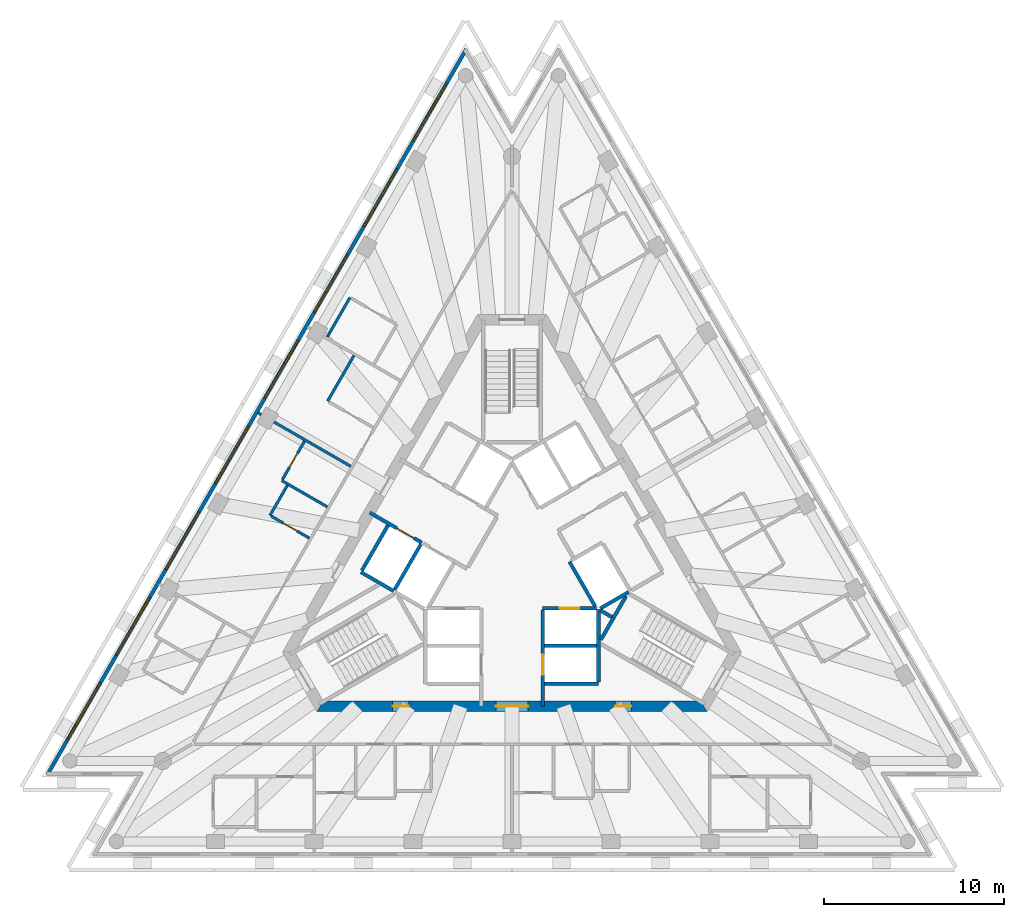
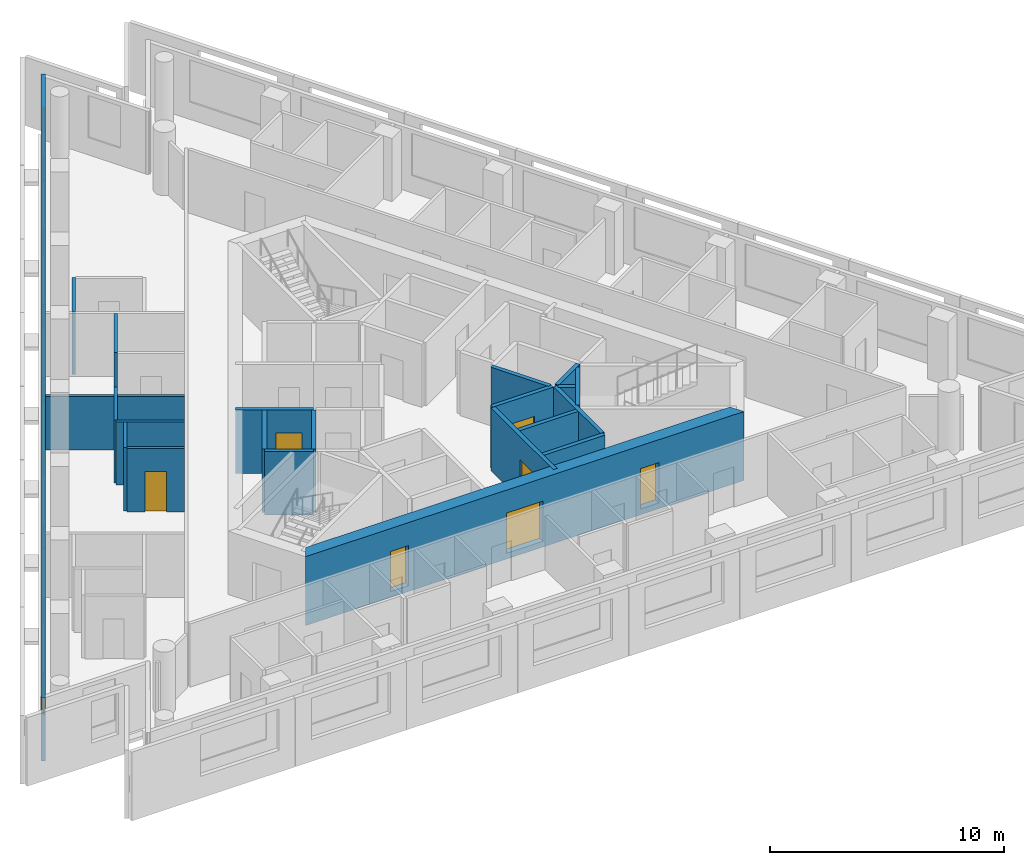
# One storey, part 4 of 9: 22 walls, 8 doors, 8 windows, 16 openings.
"""IFC4 building model written with IfcOpenShell, lengths in metres."""

from ifc_helpers import new_model, si_unit, direction, frame, frame_2d, origin, place, context, subcontext, project, spatial, polyline, rectangle, outline, extrude, material, layer, layer_set, layer_usage, type_object, element, fill, save


model = new_model("IFC4")

# Units and contexts
model_context = context("Model", 3, precision=1e-05, world=origin(), true_north=direction((0.0, 1.0)))
body_context = subcontext(model_context, "Body", "Model", "MODEL_VIEW")
ifc_project = project(units=[si_unit("LENGTHUNIT", "METRE"), si_unit("AREAUNIT", "SQUARE_METRE"), si_unit("VOLUMEUNIT", "CUBIC_METRE"), si_unit("PLANEANGLEUNIT", "RADIAN"), si_unit("MASSUNIT", "GRAM", prefix="KILO")], contexts=[model_context])

# Site, building, storey
site_placement = place(None, origin())
site = spatial("IfcSite", under=ifc_project, at=site_placement, CompositionType="ELEMENT")
building_placement = place(site_placement, origin())
building = spatial("IfcBuilding", under=site, at=building_placement, Name="Triada Interchange Tower", CompositionType="ELEMENT")
storey_placement = place(building_placement, frame((0.0, 0.0, 279.10009765625)))
storey = spatial("IfcBuildingStorey", under=building, at=storey_placement, Name="L65", CompositionType="ELEMENT", Elevation=279.10009765625)

# Walls
ifc_material_1 = material(Name="Concrete C30/37", Category="concrete")
ifc_layer_1 = layer(ifc_material_1, 0.199951171875)
ifc_layer_set_1 = layer_set([ifc_layer_1], Name="CORE WALL 200 EI 120")
wall_type_1 = type_object("IfcWallType", Name="CORE WALL 200 EI 120", PredefinedType="SOLIDWALL", material=ifc_layer_set_1)
wall_1_placement = place(storey_placement, frame((-8.3759765625, -0.70703125, 0.0), z_axis=(0.0, 0.0, 1.0), x_axis=(0.866067520717, -0.499927044236, 0.0)))
element("IfcWall", 1, at=wall_1_placement, inside=storey, type_object=wall_type_1, Name="Wall L65 70", PredefinedType="SOLIDWALL", context=body_context, shape_type="SweptSolid", body=[
    extrude(rectangle(XDim=2.100341796875, YDim=0.199951171875, at=frame_2d((1.05029296875, 0.0))), origin(), (0.0, 0.0, 1.0), 3.2998046875),
])
wall_2_placement = place(storey_placement, frame((-8.325927734375, -0.6201171875, 0.0), z_axis=(0.0, 0.0, 1.0), x_axis=(0.500023687443, 0.866011727401, 0.0)))
element("IfcWall", 2, at=wall_2_placement, inside=storey, type_object=wall_type_1, Name="Wall L65 71", PredefinedType="SOLIDWALL", context=body_context, shape_type="SweptSolid", body=[
    extrude(rectangle(XDim=2.899658203125, YDim=0.199951171875, at=frame_2d((1.44970703125, 0.0))), origin(), (0.0, 0.0, 1.0), 3.2998046875),
])
wall_3_placement = place(storey_placement, frame((1.800048828125, -4.800048828125, 0.0), z_axis=(0.0, 0.0, 1.0), x_axis=(1.0, 0.0, 0.0)))
element("IfcWall", 3, at=wall_3_placement, inside=storey, type_object=wall_type_1, Name="Wall L65 73", PredefinedType="SOLIDWALL", context=body_context, shape_type="SweptSolid", body=[
    extrude(rectangle(XDim=2.89990234375, YDim=0.199951171875, at=frame_2d((1.449951171875, 0.0))), origin(), (0.0, 0.0, 1.0), 3.2998046875),
])
wall_4_placement = place(storey_placement, frame((1.800048828125, -6.89990234375, 0.0), z_axis=(0.0, 0.0, 1.0), x_axis=(1.0, 0.0, 0.0)))
element("IfcWall", 4, at=wall_4_placement, inside=storey, type_object=wall_type_1, Name="Wall L65 76", PredefinedType="SOLIDWALL", context=body_context, shape_type="SweptSolid", body=[
    extrude(rectangle(XDim=3.0, YDim=0.199951171875, at=frame_2d((1.5, 0.0))), origin(), (0.0, 0.0, 1.0), 3.2998046875),
])

# Wall, opening, door
wall_5_placement = place(storey_placement, frame((1.702880859375, -2.699951171875, 0.0), z_axis=(0.0, 0.0, 1.0), x_axis=(1.0, 0.0, 0.0)))
wall_5 = element("IfcWall", 5, at=wall_5_placement, inside=storey, type_object=wall_type_1, Name="Wall L65 79", PredefinedType="SOLIDWALL", context=body_context, shape_type="SweptSolid", body=[
    extrude(rectangle(XDim=2.97314453125, YDim=0.199951171875, at=frame_2d((1.486572265625, 0.0))), origin(), (0.0, 0.0, 1.0), 3.2998046875),
])
opening_1_placement = place(wall_5_placement, frame((0.93603515625, 0.0, 0.0)))
opening_1 = element("IfcOpeningElement", 6, at=opening_1_placement, cuts=wall_5, Name="Opening LD-HR1", PredefinedType="OPENING", context=body_context, shape_type="SweptSolid", body=[
    extrude(rectangle(XDim=1.10009765625, YDim=2.10009765625, at=frame_2d((0.550048828125, 1.050048828125))), frame((0.0, 0.10986328125, 0.0), z_axis=(0.0, -1.0, 0.0), x_axis=(1.0, 0.0, 0.0)), (0.0, 0.0, 1.0), 0.219970703125),
])
ifc_material_2 = material(Name="Steel S235 door leaf", Category="steel")
door_type_1 = type_object("IfcDoorType", Name="LIFT LANDING DOOR 1100 EI 120", OperationType="SLIDING_TO_LEFT", PredefinedType="DOOR", material=ifc_material_2)
door_1_placement = place(opening_1_placement, origin())
door_1 = element("IfcDoor", 7, at=door_1_placement, inside=storey, type_object=door_type_1, Name="HR1 landing door L65", OperationType="SLIDING_TO_LEFT", OverallHeight=2.10009765625, OverallWidth=1.10009765625, PredefinedType="DOOR", context=body_context, shape_type="SweptSolid", body=[
    extrude(rectangle(XDim=1.10009765625, YDim=2.10009765625, at=frame_2d((0.550048828125, 1.050048828125))), frame((0.0, 0.02490234375, 0.0), z_axis=(0.0, -1.0, 0.0), x_axis=(1.0, 0.0, 0.0)), (0.0, 0.0, 1.0), 0.050048828125),
])
fill(opening_1, door_1)

# Wall
wall_6_placement = place(storey_placement, frame((3.18994140625, -0.125, 0.0), z_axis=(0.0, 0.0, 1.0), x_axis=(0.499988658015, -0.866031951983, 0.0)))
element("IfcWall", 8, at=wall_6_placement, inside=storey, type_object=wall_type_1, Name="Wall L65 82", PredefinedType="SOLIDWALL", context=body_context, shape_type="SweptSolid", body=[
    extrude(rectangle(XDim=2.85791015625, YDim=0.199951171875, at=frame_2d((1.428955078125, 0.0))), origin(), (0.0, 0.0, 1.0), 3.2998046875),
])

# Wall, opening, door
wall_7_placement = place(storey_placement, frame((1.699951171875, -8.1298828125, 0.0), z_axis=(0.0, 0.0, 1.0), x_axis=(0.0, 1.0, 0.0)))
wall_7 = element("IfcWall", 9, at=wall_7_placement, inside=storey, type_object=wall_type_1, Name="Wall L65 84", PredefinedType="SOLIDWALL", context=body_context, shape_type="SweptSolid", body=[
    extrude(rectangle(XDim=5.326904296875, YDim=0.199951171875, at=frame_2d((2.66357421875, 0.0))), origin(), (0.0, 0.0, 1.0), 3.2998046875),
])
opening_2_placement = place(wall_7_placement, frame((1.72998046875, 0.0, 0.0)))
opening_2 = element("IfcOpeningElement", 10, at=opening_2_placement, cuts=wall_7, Name="Opening LD-HR2", PredefinedType="OPENING", context=body_context, shape_type="SweptSolid", body=[
    extrude(rectangle(XDim=1.10009765625, YDim=2.10009765625, at=frame_2d((0.550048828125, 1.050048828125))), frame((0.0, 0.10986328125, 0.0), z_axis=(0.0, -1.0, 0.0), x_axis=(1.0, 0.0, 0.0)), (0.0, 0.0, 1.0), 0.219970703125),
])
door_2_placement = place(opening_2_placement, origin())
door_2 = element("IfcDoor", 11, at=door_2_placement, inside=storey, type_object=door_type_1, Name="HR2 landing door L65", OperationType="SLIDING_TO_LEFT", OverallHeight=2.10009765625, OverallWidth=1.10009765625, PredefinedType="DOOR", context=body_context, shape_type="SweptSolid", body=[
    extrude(rectangle(XDim=1.10009765625, YDim=2.10009765625, at=frame_2d((0.550048828125, 1.050048828125))), frame((0.0, 0.02490234375, 0.0), z_axis=(0.0, -1.0, 0.0), x_axis=(1.0, 0.0, 0.0)), (0.0, 0.0, 1.0), 0.050048828125),
])
fill(opening_2, door_2)

# Walls
wall_8_placement = place(storey_placement, frame((4.800048828125, -6.800048828125, 0.0), z_axis=(0.0, 0.0, 1.0), x_axis=(0.0, 1.0, 0.0)))
element("IfcWall", 12, at=wall_8_placement, inside=storey, type_object=wall_type_1, Name="Wall L65 85", PredefinedType="SOLIDWALL", context=body_context, shape_type="SweptSolid", body=[
    extrude(rectangle(XDim=4.029052734375, YDim=0.199951171875, at=frame_2d((2.0146484375, 0.0))), origin(), (0.0, 0.0, 1.0), 3.2998046875),
])
wall_9_placement = place(storey_placement, frame((4.89990234375, -2.714111328125, 0.0), z_axis=(0.0, 0.0, 1.0), x_axis=(0.865846928409, 0.500309001083, 0.0)))
element("IfcWall", 13, at=wall_9_placement, inside=storey, type_object=wall_type_1, Name="Wall L65 91", PredefinedType="SOLIDWALL", context=body_context, shape_type="SweptSolid", body=[
    extrude(rectangle(XDim=1.813232421875, YDim=0.199951171875, at=frame_2d((0.90673828125, 0.0))), origin(), (0.0, 0.0, 1.0), 3.2998046875),
])

# Wall, opening, door
ifc_layer_2 = layer(ifc_material_1, 0.199951171875)
ifc_layer_set_2 = layer_set([ifc_layer_2], Name="CORE WALL 200 EI 180")
wall_type_2 = type_object("IfcWallType", Name="CORE WALL 200 EI 180", PredefinedType="SOLIDWALL", material=ifc_layer_set_2)
wall_10_placement = place(storey_placement, frame((-7.89111328125, 2.593017578125, 0.0), z_axis=(0.0, 0.0, 1.0), x_axis=(0.866070917804, -0.499921159118, 0.0)))
wall_10 = element("IfcWall", 14, at=wall_10_placement, inside=storey, type_object=wall_type_2, Name="Wall L65 95", PredefinedType="SOLIDWALL", context=body_context, shape_type="SweptSolid", body=[
    extrude(rectangle(XDim=3.33251953125, YDim=0.199951171875, at=frame_2d((1.666259765625, 0.0))), origin(), (0.0, 0.0, 1.0), 3.2998046875),
])
opening_3_placement = place(wall_10_placement, frame((1.72998046875, 0.0, 0.0)))
opening_3 = element("IfcOpeningElement", 15, at=opening_3_placement, cuts=wall_10, Name="Opening LD-SV1", PredefinedType="OPENING", context=body_context, shape_type="SweptSolid", body=[
    extrude(rectangle(XDim=1.10009765625, YDim=2.10009765625, at=frame_2d((0.550048828125, 1.050048828125))), frame((0.0, 0.10986328125, 0.0), z_axis=(0.0, -1.0, 0.0), x_axis=(1.0, 0.0, 0.0)), (0.0, 0.0, 1.0), 0.219970703125),
])
door_3_placement = place(opening_3_placement, origin())
door_3 = element("IfcDoor", 16, at=door_3_placement, inside=storey, type_object=door_type_1, Name="SV1 landing door L65", OperationType="SLIDING_TO_LEFT", OverallHeight=2.10009765625, OverallWidth=1.10009765625, PredefinedType="DOOR", context=body_context, shape_type="SweptSolid", body=[
    extrude(rectangle(XDim=1.10009765625, YDim=2.10009765625, at=frame_2d((0.550048828125, 1.050048828125))), frame((0.0, 0.02490234375, 0.0), z_axis=(0.0, -1.0, 0.0), x_axis=(1.0, 0.0, 0.0)), (0.0, 0.0, 1.0), 0.050048828125),
])
fill(opening_3, door_3)

# Walls
wall_11_placement = place(storey_placement, frame((-6.507080078125, -1.669921875, 0.0), z_axis=(0.0, 0.0, 1.0), x_axis=(0.50012328804, 0.865954211699, 0.0)))
element("IfcWall", 17, at=wall_11_placement, inside=storey, type_object=wall_type_2, Name="Shaft wall FF1 L65 102", PredefinedType="SOLIDWALL", context=body_context, shape_type="SweptSolid", body=[
    extrude(rectangle(XDim=2.899658203125, YDim=0.199951171875, at=frame_2d((1.44970703125, 0.0))), origin(), (0.0, 0.0, 1.0), 3.2998046875),
])
ifc_layer_3 = layer(ifc_material_1, 0.199951171875)
ifc_layer_set_3 = layer_set([ifc_layer_3], Name="CORE WALL 200 EI 90")
wall_type_3 = type_object("IfcWallType", Name="CORE WALL 200 EI 90", PredefinedType="SOLIDWALL", material=ifc_layer_set_3)
wall_12_placement = place(storey_placement, frame((4.89990234375, -2.8291015625, 0.0), z_axis=(0.0, 0.0, 1.0), x_axis=(0.866273177064, -0.499570598314, 0.0)))
element("IfcWall", 18, at=wall_12_placement, inside=storey, type_object=wall_type_3, Name="Wall L65 111", PredefinedType="SOLIDWALL", context=body_context, shape_type="SweptSolid", body=[
    extrude(rectangle(XDim=0.742431640625, YDim=0.199951171875, at=frame_2d((0.37109375, 0.0))), origin(), (0.0, 0.0, 1.0), 3.2998046875),
])
ifc_layer_4 = layer(ifc_material_1, 0.199951171875)
ifc_layer_set_4 = layer_set([ifc_layer_4], Name="CORE WALL 200 REI 240")
wall_type_4 = type_object("IfcWallType", Name="CORE WALL 200 REI 240", PredefinedType="SOLIDWALL", material=ifc_layer_set_4)
wall_13_placement = place(storey_placement, frame((4.928955078125, -4.4619140625, 0.0), z_axis=(0.0, 0.0, 1.0), x_axis=(0.500200581029, 0.865909567298, 0.0)))
element("IfcWall", 19, at=wall_13_placement, inside=storey, type_object=wall_type_4, Name="Wall L65 121", PredefinedType="SOLIDWALL", context=body_context, shape_type="SweptSolid", body=[
    extrude(rectangle(XDim=2.799072265625, YDim=0.199951171875, at=frame_2d((1.3994140625, 0.0))), origin(), (0.0, 0.0, 1.0), 3.2998046875),
])

# Wall, openings, doors
ifc_material_3 = material(Name="Concrete C40/50", Category="concrete")
ifc_layer_5 = layer(ifc_material_3, 0.60009765625)
ifc_layer_set_5 = layer_set([ifc_layer_5], Name="Core wall D 600")
wall_type_5 = type_object("IfcWallType", Name="Core wall D 600", PredefinedType="SHEAR", material=ifc_layer_set_5)
wall_14_placement = place(storey_placement, frame((-10.652099609375, -8.14990234375, -0.300048828125), z_axis=(0.0, 0.0, 1.0), x_axis=(1.0, 0.0, 0.0)))
wall_14 = element("IfcWall", 20, at=wall_14_placement, inside=storey, type_object=wall_type_5, Name="Core wall WD04 L65", PredefinedType="SHEAR", context=body_context, shape_type="SweptSolid", body=[
    extrude(outline(polyline([(-0.173095703125, -0.300048828125), (1.795166015625, -0.300048828125), (3.76318359375, -0.300048828125), (5.7314453125, -0.300048828125), (7.69970703125, -0.300048828125), (9.66796875, -0.300048828125), (11.635986328125, -0.300048828125), (13.604248046875, -0.300048828125), (15.572509765625, -0.300048828125), (17.540771484375, -0.300048828125), (19.5087890625, -0.300048828125), (21.47705078125, -0.300048828125), (21.131103515625, 0.300048828125), (19.225830078125, 0.300048828125), (17.320556640625, 0.300048828125), (15.415283203125, 0.300048828125), (13.510009765625, 0.300048828125), (11.604736328125, 0.300048828125), (9.699462890625, 0.300048828125), (7.794189453125, 0.300048828125), (5.888916015625, 0.300048828125), (3.983642578125, 0.300048828125), (2.078369140625, 0.300048828125), (0.173095703125, 0.300048828125), (-0.173095703125, -0.300048828125)])), origin(), (0.0, 0.0, 1.0), 3.599853515625),
])
opening_4_placement = place(wall_14_placement, frame((9.751953125, 0.0, 0.300048828125)))
opening_4 = element("IfcOpeningElement", 21, at=opening_4_placement, cuts=wall_14, Name="Opening D65-48", PredefinedType="OPENING", context=body_context, shape_type="SweptSolid", body=[
    extrude(rectangle(XDim=1.800048828125, YDim=2.10009765625, at=frame_2d((0.89990234375, 1.050048828125))), frame((0.0, 0.31005859375, 0.0), z_axis=(0.0, -1.0, 0.0), x_axis=(1.0, 0.0, 0.0)), (0.0, 0.0, 1.0), 0.6201171875),
])
opening_5_placement = place(wall_14_placement, frame((4.02587890625, 0.0, 0.300048828125)))
opening_5 = element("IfcOpeningElement", 22, at=opening_5_placement, cuts=wall_14, Name="Opening D65-54", PredefinedType="OPENING", context=body_context, shape_type="SweptSolid", body=[
    extrude(rectangle(XDim=0.89990234375, YDim=2.10009765625, at=frame_2d((0.449951171875, 1.050048828125))), frame((0.0, 0.31005859375, 0.0), z_axis=(0.0, -1.0, 0.0), x_axis=(1.0, 0.0, 0.0)), (0.0, 0.0, 1.0), 0.6201171875),
])
opening_6_placement = place(wall_14_placement, frame((16.3779296875, 0.0, 0.300048828125)))
opening_6 = element("IfcOpeningElement", 23, at=opening_6_placement, cuts=wall_14, Name="Opening D65-56", PredefinedType="OPENING", context=body_context, shape_type="SweptSolid", body=[
    extrude(rectangle(XDim=0.89990234375, YDim=2.10009765625, at=frame_2d((0.449951171875, 1.050048828125))), frame((0.0, 0.31005859375, 0.0), z_axis=(0.0, -1.0, 0.0), x_axis=(1.0, 0.0, 0.0)), (0.0, 0.0, 1.0), 0.6201171875),
])
door_type_2 = type_object("IfcDoorType", Name="LOBBY DOOR 1800 EI2 90-C5S200", OperationType="DOUBLE_DOOR_SINGLE_SWING", PredefinedType="DOOR", material=ifc_material_2)
door_4_placement = place(opening_4_placement, origin())
door_4 = element("IfcDoor", 24, at=door_4_placement, inside=storey, type_object=door_type_2, Name="Door D65-48 L65", OperationType="DOUBLE_DOOR_SINGLE_SWING", OverallHeight=2.10009765625, OverallWidth=1.800048828125, PredefinedType="DOOR", context=body_context, shape_type="SweptSolid", body=[
    extrude(rectangle(XDim=1.800048828125, YDim=2.10009765625, at=frame_2d((0.89990234375, 1.050048828125))), frame((0.0, 0.02490234375, 0.0), z_axis=(0.0, -1.0, 0.0), x_axis=(1.0, 0.0, 0.0)), (0.0, 0.0, 1.0), 0.050048828125),
])
fill(opening_4, door_4)
door_type_3 = type_object("IfcDoorType", Name="SERVICE DOOR 900 EI2 45-C5S200", OperationType="NOTDEFINED", PredefinedType="DOOR", material=ifc_material_2)
door_5_placement = place(opening_5_placement, origin())
door_5 = element("IfcDoor", 25, at=door_5_placement, inside=storey, type_object=door_type_3, Name="Door D65-54 L65", OperationType="SINGLE_SWING_RIGHT", OverallHeight=2.10009765625, OverallWidth=0.89990234375, PredefinedType="DOOR", context=body_context, shape_type="SweptSolid", body=[
    extrude(rectangle(XDim=0.89990234375, YDim=2.10009765625, at=frame_2d((0.449951171875, 1.050048828125))), frame((0.0, 0.02490234375, 0.0), z_axis=(0.0, -1.0, 0.0), x_axis=(1.0, 0.0, 0.0)), (0.0, 0.0, 1.0), 0.050048828125),
])
fill(opening_5, door_5)
door_6_placement = place(opening_6_placement, origin())
door_6 = element("IfcDoor", 26, at=door_6_placement, inside=storey, type_object=door_type_3, Name="Door D65-56 L65", OperationType="SINGLE_SWING_RIGHT", OverallHeight=2.10009765625, OverallWidth=0.89990234375, PredefinedType="DOOR", context=body_context, shape_type="SweptSolid", body=[
    extrude(rectangle(XDim=0.89990234375, YDim=2.10009765625, at=frame_2d((0.449951171875, 1.050048828125))), frame((0.0, 0.02490234375, 0.0), z_axis=(0.0, -1.0, 0.0), x_axis=(1.0, 0.0, 0.0)), (0.0, 0.0, 1.0), 0.050048828125),
])
fill(opening_6, door_6)

# Wall, openings, windows
ifc_material_4 = material(Name="Cement board")
ifc_layer_6 = layer(ifc_material_4, 0.02001953125, Name="Cement board cladding")
ifc_material_5 = material(Name="Sheathing board")
ifc_layer_7 = layer(ifc_material_5, 0.014892578125, Name="Sheathing board")
ifc_material_6 = material(Name="Mineral wool")
ifc_layer_8 = layer(ifc_material_6, 0.14990234375, Name="Mineral wool between steel studs")
ifc_material_7 = material(Name="Gypsum board")
ifc_layer_9 = layer(ifc_material_7, 0.014892578125, Name="Plasterboard lining")
ifc_layer_set_6 = layer_set([ifc_layer_6, ifc_layer_7, ifc_layer_8, ifc_layer_9], Name="External wall 200")
ifc_layer_usage = layer_usage(ifc_layer_set_6, "AXIS2", "POSITIVE", -0.10009765625)
wall_type_6 = type_object("IfcWallType", Name="External wall 200", PredefinedType="ELEMENTEDWALL", material=ifc_layer_set_6)
wall_15_placement = place(storey_placement, frame((-2.535888671875, 28.31591796875, 0.0), z_axis=(0.0, 0.0, 1.0), x_axis=(-0.500006870765, -0.86602143691, 0.0)))
wall_15 = element("IfcWall", 27, at=wall_15_placement, inside=storey, type_object=wall_type_6, material=ifc_layer_usage, Name="External wall L65 NW", PredefinedType="ELEMENTEDWALL", context=body_context, shape_type="SweptSolid", body=[
    extrude(rectangle(XDim=46.489501953125, YDim=0.199951171875, at=frame_2d((23.24462890625, 0.0))), origin(), (0.0, 0.0, 1.0), 3.2998046875),
])
opening_7_placement = place(wall_15_placement, frame((2.196044921875, 0.0, 0.89990234375)))
opening_7 = element("IfcOpeningElement", 28, at=opening_7_placement, cuts=wall_15, Name="Opening WD01", PredefinedType="OPENING", context=body_context, shape_type="SweptSolid", body=[
    extrude(rectangle(XDim=3.699951171875, YDim=2.199951171875, at=frame_2d((1.85009765625, 1.10009765625))), frame((0.0, 0.10986328125, 0.0), z_axis=(0.0, -1.0, 0.0), x_axis=(1.0, 0.0, 0.0)), (0.0, 0.0, 1.0), 0.219970703125),
])
opening_8_placement = place(wall_15_placement, frame((7.68408203125, 0.0, 0.89990234375)))
opening_8 = element("IfcOpeningElement", 29, at=opening_8_placement, cuts=wall_15, Name="Opening WD02", PredefinedType="OPENING", context=body_context, shape_type="SweptSolid", body=[
    extrude(rectangle(XDim=3.699951171875, YDim=2.199951171875, at=frame_2d((1.85009765625, 1.10009765625))), frame((0.0, 0.10986328125, 0.0), z_axis=(0.0, -1.0, 0.0), x_axis=(1.0, 0.0, 0.0)), (0.0, 0.0, 1.0), 0.219970703125),
])
opening_9_placement = place(wall_15_placement, frame((13.172119140625, 0.0, 0.89990234375)))
opening_9 = element("IfcOpeningElement", 30, at=opening_9_placement, cuts=wall_15, Name="Opening WD03", PredefinedType="OPENING", context=body_context, shape_type="SweptSolid", body=[
    extrude(rectangle(XDim=3.699951171875, YDim=2.199951171875, at=frame_2d((1.85009765625, 1.10009765625))), frame((0.0, 0.10986328125, 0.0), z_axis=(0.0, -1.0, 0.0), x_axis=(1.0, 0.0, 0.0)), (0.0, 0.0, 1.0), 0.219970703125),
])
opening_10_placement = place(wall_15_placement, frame((18.659912109375, 0.0, 0.89990234375)))
opening_10 = element("IfcOpeningElement", 31, at=opening_10_placement, cuts=wall_15, Name="Opening WD04", PredefinedType="OPENING", context=body_context, shape_type="SweptSolid", body=[
    extrude(rectangle(XDim=3.699951171875, YDim=2.199951171875, at=frame_2d((1.85009765625, 1.10009765625))), frame((0.0, 0.10986328125, 0.0), z_axis=(0.0, -1.0, 0.0), x_axis=(1.0, 0.0, 0.0)), (0.0, 0.0, 1.0), 0.219970703125),
])
opening_11_placement = place(wall_15_placement, frame((24.14794921875, 0.0, 0.89990234375)))
opening_11 = element("IfcOpeningElement", 32, at=opening_11_placement, cuts=wall_15, Name="Opening WD05", PredefinedType="OPENING", context=body_context, shape_type="SweptSolid", body=[
    extrude(rectangle(XDim=3.699951171875, YDim=2.199951171875, at=frame_2d((1.85009765625, 1.10009765625))), frame((0.0, 0.10986328125, 0.0), z_axis=(0.0, -1.0, 0.0), x_axis=(1.0, 0.0, 0.0)), (0.0, 0.0, 1.0), 0.219970703125),
])
opening_12_placement = place(wall_15_placement, frame((29.635986328125, 0.0, 0.89990234375)))
opening_12 = element("IfcOpeningElement", 33, at=opening_12_placement, cuts=wall_15, Name="Opening WD06", PredefinedType="OPENING", context=body_context, shape_type="SweptSolid", body=[
    extrude(rectangle(XDim=3.699951171875, YDim=2.199951171875, at=frame_2d((1.85009765625, 1.10009765625))), frame((0.0, 0.10986328125, 0.0), z_axis=(0.0, -1.0, 0.0), x_axis=(1.0, 0.0, 0.0)), (0.0, 0.0, 1.0), 0.219970703125),
])
opening_13_placement = place(wall_15_placement, frame((35.1240234375, 0.0, 0.89990234375)))
opening_13 = element("IfcOpeningElement", 34, at=opening_13_placement, cuts=wall_15, Name="Opening WD07", PredefinedType="OPENING", context=body_context, shape_type="SweptSolid", body=[
    extrude(rectangle(XDim=3.699951171875, YDim=2.199951171875, at=frame_2d((1.85009765625, 1.10009765625))), frame((0.0, 0.10986328125, 0.0), z_axis=(0.0, -1.0, 0.0), x_axis=(1.0, 0.0, 0.0)), (0.0, 0.0, 1.0), 0.219970703125),
])
opening_14_placement = place(wall_15_placement, frame((40.612060546875, 0.0, 0.89990234375)))
opening_14 = element("IfcOpeningElement", 35, at=opening_14_placement, cuts=wall_15, Name="Opening WD08", PredefinedType="OPENING", context=body_context, shape_type="SweptSolid", body=[
    extrude(rectangle(XDim=3.699951171875, YDim=2.199951171875, at=frame_2d((1.85009765625, 1.10009765625))), frame((0.0, 0.10986328125, 0.0), z_axis=(0.0, -1.0, 0.0), x_axis=(1.0, 0.0, 0.0)), (0.0, 0.0, 1.0), 0.219970703125),
])
ifc_material_8 = material(Name="Double glazed aluminium window", Category="aluminium")
window_type = type_object("IfcWindowType", Name="Ribbon window D face", PartitioningType="SINGLE_PANEL", PredefinedType="WINDOW", material=ifc_material_8)
window_1_placement = place(opening_7_placement, origin())
window_1 = element("IfcWindow", 36, at=window_1_placement, inside=storey, type_object=window_type, Name="Window L65 NW 1", OverallHeight=2.199951171875, OverallWidth=3.699951171875, PartitioningType="SINGLE_PANEL", PredefinedType="WINDOW", context=body_context, shape_type="SweptSolid", body=[
    extrude(rectangle(XDim=3.699951171875, YDim=2.199951171875, at=frame_2d((1.85009765625, 1.10009765625))), frame((0.0, 0.030029296875, 0.0), z_axis=(0.0, -1.0, 0.0), x_axis=(1.0, 0.0, 0.0)), (0.0, 0.0, 1.0), 0.06005859375),
])
fill(opening_7, window_1)
window_2_placement = place(opening_8_placement, origin())
window_2 = element("IfcWindow", 37, at=window_2_placement, inside=storey, type_object=window_type, Name="Window L65 NW 2", OverallHeight=2.199951171875, OverallWidth=3.699951171875, PartitioningType="SINGLE_PANEL", PredefinedType="WINDOW", context=body_context, shape_type="SweptSolid", body=[
    extrude(rectangle(XDim=3.699951171875, YDim=2.199951171875, at=frame_2d((1.85009765625, 1.10009765625))), frame((0.0, 0.030029296875, 0.0), z_axis=(0.0, -1.0, 0.0), x_axis=(1.0, 0.0, 0.0)), (0.0, 0.0, 1.0), 0.06005859375),
])
fill(opening_8, window_2)
window_3_placement = place(opening_9_placement, origin())
window_3 = element("IfcWindow", 38, at=window_3_placement, inside=storey, type_object=window_type, Name="Window L65 NW 3", OverallHeight=2.199951171875, OverallWidth=3.699951171875, PartitioningType="SINGLE_PANEL", PredefinedType="WINDOW", context=body_context, shape_type="SweptSolid", body=[
    extrude(rectangle(XDim=3.699951171875, YDim=2.199951171875, at=frame_2d((1.85009765625, 1.10009765625))), frame((0.0, 0.030029296875, 0.0), z_axis=(0.0, -1.0, 0.0), x_axis=(1.0, 0.0, 0.0)), (0.0, 0.0, 1.0), 0.06005859375),
])
fill(opening_9, window_3)
window_4_placement = place(opening_10_placement, origin())
window_4 = element("IfcWindow", 39, at=window_4_placement, inside=storey, type_object=window_type, Name="Window L65 NW 4", OverallHeight=2.199951171875, OverallWidth=3.699951171875, PartitioningType="SINGLE_PANEL", PredefinedType="WINDOW", context=body_context, shape_type="SweptSolid", body=[
    extrude(rectangle(XDim=3.699951171875, YDim=2.199951171875, at=frame_2d((1.85009765625, 1.10009765625))), frame((0.0, 0.030029296875, 0.0), z_axis=(0.0, -1.0, 0.0), x_axis=(1.0, 0.0, 0.0)), (0.0, 0.0, 1.0), 0.06005859375),
])
fill(opening_10, window_4)
window_5_placement = place(opening_11_placement, origin())
window_5 = element("IfcWindow", 40, at=window_5_placement, inside=storey, type_object=window_type, Name="Window L65 NW 5", OverallHeight=2.199951171875, OverallWidth=3.699951171875, PartitioningType="SINGLE_PANEL", PredefinedType="WINDOW", context=body_context, shape_type="SweptSolid", body=[
    extrude(rectangle(XDim=3.699951171875, YDim=2.199951171875, at=frame_2d((1.85009765625, 1.10009765625))), frame((0.0, 0.030029296875, 0.0), z_axis=(0.0, -1.0, 0.0), x_axis=(1.0, 0.0, 0.0)), (0.0, 0.0, 1.0), 0.06005859375),
])
fill(opening_11, window_5)
window_6_placement = place(opening_12_placement, origin())
window_6 = element("IfcWindow", 41, at=window_6_placement, inside=storey, type_object=window_type, Name="Window L65 NW 6", OverallHeight=2.199951171875, OverallWidth=3.699951171875, PartitioningType="SINGLE_PANEL", PredefinedType="WINDOW", context=body_context, shape_type="SweptSolid", body=[
    extrude(rectangle(XDim=3.699951171875, YDim=2.199951171875, at=frame_2d((1.85009765625, 1.10009765625))), frame((0.0, 0.030029296875, 0.0), z_axis=(0.0, -1.0, 0.0), x_axis=(1.0, 0.0, 0.0)), (0.0, 0.0, 1.0), 0.06005859375),
])
fill(opening_12, window_6)
window_7_placement = place(opening_13_placement, origin())
window_7 = element("IfcWindow", 42, at=window_7_placement, inside=storey, type_object=window_type, Name="Window L65 NW 7", OverallHeight=2.199951171875, OverallWidth=3.699951171875, PartitioningType="SINGLE_PANEL", PredefinedType="WINDOW", context=body_context, shape_type="SweptSolid", body=[
    extrude(rectangle(XDim=3.699951171875, YDim=2.199951171875, at=frame_2d((1.85009765625, 1.10009765625))), frame((0.0, 0.030029296875, 0.0), z_axis=(0.0, -1.0, 0.0), x_axis=(1.0, 0.0, 0.0)), (0.0, 0.0, 1.0), 0.06005859375),
])
fill(opening_13, window_7)
window_8_placement = place(opening_14_placement, origin())
window_8 = element("IfcWindow", 43, at=window_8_placement, inside=storey, type_object=window_type, Name="Window L65 NW 8", OverallHeight=2.199951171875, OverallWidth=3.699951171875, PartitioningType="SINGLE_PANEL", PredefinedType="WINDOW", context=body_context, shape_type="SweptSolid", body=[
    extrude(rectangle(XDim=3.699951171875, YDim=2.199951171875, at=frame_2d((1.85009765625, 1.10009765625))), frame((0.0, 0.030029296875, 0.0), z_axis=(0.0, -1.0, 0.0), x_axis=(1.0, 0.0, 0.0)), (0.0, 0.0, 1.0), 0.06005859375),
])
fill(opening_14, window_8)

# Walls
ifc_material_9 = material(Name="Gypsum board partition")
ifc_layer_10 = layer(ifc_material_9, 0.14990234375)
ifc_layer_set_7 = layer_set([ifc_layer_10], Name="PARTITION 150 EI 180")
wall_type_7 = type_object("IfcWallType", Name="PARTITION 150 EI 180", PredefinedType="PARTITIONING", material=ifc_layer_set_7)
wall_16_placement = place(storey_placement, frame((-14.093994140625, 8.136962890625, 0.0), z_axis=(0.0, 0.0, 1.0), x_axis=(0.866004483474, -0.50003623329, 0.0)))
element("IfcWall", 44, at=wall_16_placement, inside=storey, type_object=wall_type_7, Name="Wall L65 6", PredefinedType="PARTITIONING", context=body_context, shape_type="SweptSolid", body=[
    extrude(rectangle(XDim=5.94921875, YDim=0.14990234375, at=frame_2d((2.974609375, 0.0))), origin(), (0.0, 0.0, 1.0), 2.7998046875),
])
ifc_layer_11 = layer(ifc_material_9, 0.14990234375)
ifc_layer_set_8 = layer_set([ifc_layer_11], Name="PARTITION 150 EI 90")
wall_type_8 = type_object("IfcWallType", Name="PARTITION 150 EI 90", PredefinedType="PARTITIONING", material=ifc_layer_set_8)
wall_17_placement = place(storey_placement, frame((-10.251953125, 12.343017578125, 0.0), z_axis=(0.0, 0.0, 1.0), x_axis=(0.499956887143, 0.866050293573, 0.0)))
element("IfcWall", 45, at=wall_17_placement, inside=storey, type_object=wall_type_8, Name="Wall L65 37", PredefinedType="PARTITIONING", context=body_context, shape_type="SweptSolid", body=[
    extrude(rectangle(XDim=2.524169921875, YDim=0.14990234375, at=frame_2d((1.26220703125, 0.0))), origin(), (0.0, 0.0, 1.0), 3.2998046875),
])
wall_18_placement = place(storey_placement, frame((-12.77490234375, 4.373046875, 0.0), z_axis=(0.0, 0.0, 1.0), x_axis=(0.866061874444, -0.499936825643, 0.0)))
element("IfcWall", 46, at=wall_18_placement, inside=storey, type_object=wall_type_8, Name="Wall L65 46", PredefinedType="PARTITIONING", context=body_context, shape_type="SweptSolid", body=[
    extrude(rectangle(XDim=2.9248046875, YDim=0.14990234375, at=frame_2d((1.46240234375, 0.0))), origin(), (0.0, 0.0, 1.0), 3.2998046875),
])

# Wall, opening, door
wall_19_placement = place(storey_placement, frame((-12.737060546875, 4.43798828125, 0.0), z_axis=(0.0, 0.0, 1.0), x_axis=(0.499975448907, 0.8660395779, 0.0)))
wall_19 = element("IfcWall", 47, at=wall_19_placement, inside=storey, type_object=wall_type_8, Name="Wall L65 47", PredefinedType="PARTITIONING", context=body_context, shape_type="SweptSolid", body=[
    extrude(rectangle(XDim=2.4501953125, YDim=0.14990234375, at=frame_2d((1.22509765625, 0.0))), origin(), (0.0, 0.0, 1.0), 3.2998046875),
])
opening_15_placement = place(wall_19_placement, frame((0.77490234375, 0.0, 0.0)))
opening_15 = element("IfcOpeningElement", 48, at=opening_15_placement, cuts=wall_19, Name="Opening D65-43", PredefinedType="OPENING", context=body_context, shape_type="SweptSolid", body=[
    extrude(rectangle(XDim=0.89990234375, YDim=2.10009765625, at=frame_2d((0.449951171875, 1.050048828125))), frame((0.0, 0.0849609375, 0.0), z_axis=(0.0, -1.0, 0.0), x_axis=(1.0, 0.0, 0.0)), (0.0, 0.0, 1.0), 0.169921875),
])
door_type_4 = type_object("IfcDoorType", Name="ROOM DOOR 900 EI2 45-C5S200", OperationType="NOTDEFINED", PredefinedType="DOOR", material=ifc_material_2)
door_7_placement = place(opening_15_placement, origin())
door_7 = element("IfcDoor", 49, at=door_7_placement, inside=storey, type_object=door_type_4, Name="Door D65-43 L65", OperationType="SINGLE_SWING_LEFT", OverallHeight=2.10009765625, OverallWidth=0.89990234375, PredefinedType="DOOR", context=body_context, shape_type="SweptSolid", body=[
    extrude(rectangle(XDim=0.89990234375, YDim=2.10009765625, at=frame_2d((0.449951171875, 1.050048828125))), frame((0.0, 0.02490234375, 0.0), z_axis=(0.0, -1.0, 0.0), x_axis=(1.0, 0.0, 0.0)), (0.0, 0.0, 1.0), 0.050048828125),
])
fill(opening_15, door_7)

# Walls
wall_20_placement = place(storey_placement, frame((-10.23095703125, 8.780029296875, 0.0), z_axis=(0.0, 0.0, 1.0), x_axis=(0.500124626836, 0.865953438489, 0.0)))
element("IfcWall", 50, at=wall_20_placement, inside=storey, type_object=wall_type_8, Name="Wall L65 48", PredefinedType="PARTITIONING", context=body_context, shape_type="SweptSolid", body=[
    extrude(rectangle(XDim=2.925048828125, YDim=0.14990234375, at=frame_2d((1.46240234375, 0.0))), origin(), (0.0, 0.0, 1.0), 3.2998046875),
])
wall_21_placement = place(storey_placement, frame((-13.427978515625, 2.44091796875, 0.0), z_axis=(0.0, 0.0, 1.0), x_axis=(0.499795662447, 0.866143345988, 0.0)))
element("IfcWall", 51, at=wall_21_placement, inside=storey, type_object=wall_type_8, Name="Wall L65 49", PredefinedType="PARTITIONING", context=body_context, shape_type="SweptSolid", body=[
    extrude(rectangle(XDim=1.924560546875, YDim=0.14990234375, at=frame_2d((0.96240234375, 0.0))), origin(), (0.0, 0.0, 1.0), 3.2998046875),
])

# Wall, opening, door
wall_22_placement = place(storey_placement, frame((-13.364013671875, 2.404052734375, 0.0), z_axis=(0.0, 0.0, 1.0), x_axis=(0.8660395779, -0.499975448907, 0.0)))
wall_22 = element("IfcWall", 52, at=wall_22_placement, inside=storey, type_object=wall_type_8, Name="Wall L65 50", PredefinedType="PARTITIONING", context=body_context, shape_type="SweptSolid", body=[
    extrude(rectangle(XDim=2.4501953125, YDim=0.14990234375, at=frame_2d((1.22509765625, 0.0))), origin(), (0.0, 0.0, 1.0), 3.2998046875),
])
opening_16_placement = place(wall_22_placement, frame((0.77587890625, 0.0, 0.0)))
opening_16 = element("IfcOpeningElement", 53, at=opening_16_placement, cuts=wall_22, Name="Opening D65-44", PredefinedType="OPENING", context=body_context, shape_type="SweptSolid", body=[
    extrude(rectangle(XDim=0.89990234375, YDim=2.10009765625, at=frame_2d((0.449951171875, 1.050048828125))), frame((0.0, 0.0849609375, 0.0), z_axis=(0.0, -1.0, 0.0), x_axis=(1.0, 0.0, 0.0)), (0.0, 0.0, 1.0), 0.169921875),
])
door_8_placement = place(opening_16_placement, origin())
door_8 = element("IfcDoor", 54, at=door_8_placement, inside=storey, type_object=door_type_3, Name="Door D65-44 L65", OperationType="SINGLE_SWING_RIGHT", OverallHeight=2.10009765625, OverallWidth=0.89990234375, PredefinedType="DOOR", context=body_context, shape_type="SweptSolid", body=[
    extrude(rectangle(XDim=0.89990234375, YDim=2.10009765625, at=frame_2d((0.449951171875, 1.050048828125))), frame((0.0, 0.02490234375, 0.0), z_axis=(0.0, -1.0, 0.0), x_axis=(1.0, 0.0, 0.0)), (0.0, 0.0, 1.0), 0.050048828125),
])
fill(opening_16, door_8)

save(model, "model.ifc")
